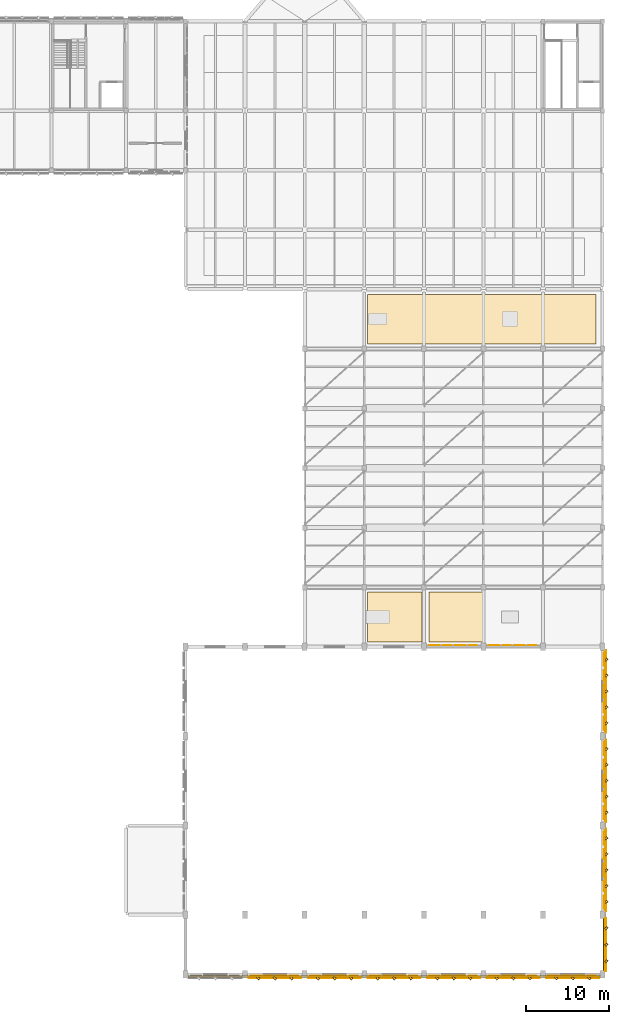
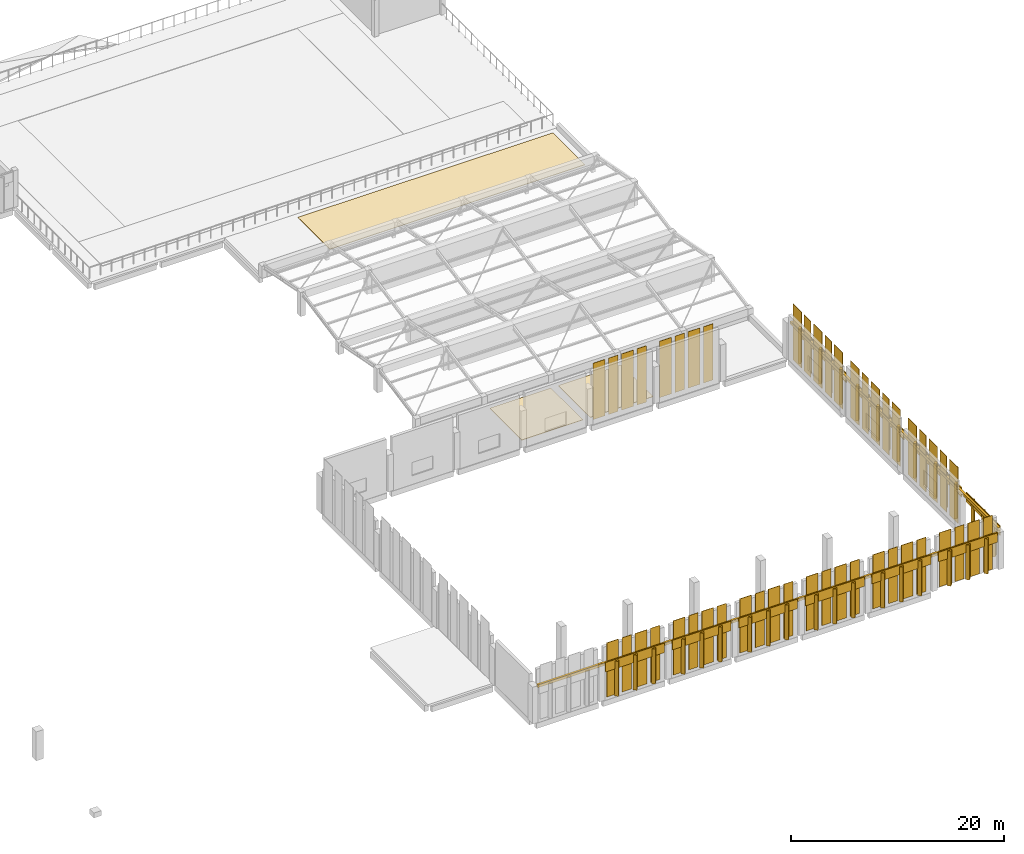
# One storey, part 71 of 72: 98 coverings.
"""IFC4 building model written with IfcOpenShell, lengths in metres."""

from ifc_helpers import new_model, si_unit, direction, frame, origin, origin_2d, place, context, subcontext, project, spatial, polyline, rectangle, outline, extrude, material, layer, layer_set, type_object, element, save


model = new_model("IFC4")

# Units and contexts
model_context = context("Model", 3, precision=1e-05, world=origin(), true_north=direction((0.0, 1.0)))
body_context = subcontext(model_context, "Body", "Model", "MODEL_VIEW")
ifc_project = project(units=[si_unit("LENGTHUNIT", "METRE"), si_unit("AREAUNIT", "SQUARE_METRE"), si_unit("VOLUMEUNIT", "CUBIC_METRE"), si_unit("PLANEANGLEUNIT", "RADIAN"), si_unit("MASSUNIT", "GRAM", prefix="KILO")], contexts=[model_context])

# Site, building, storey
site_placement = place(None, origin())
site = spatial("IfcSite", under=ifc_project, at=site_placement, CompositionType="ELEMENT")
building_placement = place(site_placement, origin())
building = spatial("IfcBuilding", under=site, at=building_placement, Name="Lusvemor Sports Hall", CompositionType="ELEMENT")
storey_placement = place(building_placement, frame((0.0, 0.0, 15.0)))
storey = spatial("IfcBuildingStorey", under=building, at=storey_placement, Name="L03", CompositionType="ELEMENT", Elevation=15.0)

# Coverings
ifc_material_1 = material(Name="Precast granite-faced Concrete C40/50 architectural cladding", Category="masonry")
ifc_layer_1 = layer(ifc_material_1, 0.055908203125)
ifc_layer_set_1 = layer_set([ifc_layer_1], Name="Precast granite-faced Concrete C40/50 architectural cladding")
covering_type_1 = type_object("IfcCoveringType", Name="CLAD_RELIEF_FRIEZE", PredefinedType="CLADDING", material=ifc_layer_set_1)
covering_1_placement = place(storey_placement, frame((144.0, -0.219970703125, 3.8798828125), z_axis=(0.0, 0.0, 1.0), x_axis=(1.0, 0.0, 0.0)))
element("IfcCovering", 1, at=covering_1_placement, inside=storey, type_object=covering_type_1, Name="Art Nouveau Sculpted Roofline Cornice 256", PredefinedType="CLADDING", context=body_context, shape_type="SweptSolid", body=[
    extrude(rectangle(XDim=49.800048828125, YDim=0.239990234375, at=origin_2d()), origin(), (0.0, 0.0, 1.0), 0.320068359375),
])
covering_2_placement = place(storey_placement, frame((169.419921875, 19.800048828125, 3.8798828125), z_axis=(0.0, 0.0, 1.0), x_axis=(1.0, 0.0, 0.0)))
element("IfcCovering", 2, at=covering_2_placement, inside=storey, type_object=covering_type_1, Name="Art Nouveau Sculpted Roofline Cornice 350", PredefinedType="CLADDING", context=body_context, shape_type="SweptSolid", body=[
    extrude(rectangle(XDim=0.239990234375, YDim=39.0, at=origin_2d()), origin(), (0.0, 0.0, 1.0), 0.320068359375),
])
ifc_material_2 = material(Name="Emerald polychrome glazed ceramic cladding on Concrete C40/50 backing", Category="concrete")
ifc_layer_2 = layer(ifc_material_2, 0.0458984375)
ifc_layer_set_2 = layer_set([ifc_layer_2], Name="Emerald polychrome glazed ceramic cladding on Concrete C40/50 backing")
covering_type_2 = type_object("IfcCoveringType", Name="CLAD_WAVE_EMERALD", PredefinedType="CLADDING", material=ifc_layer_set_2)
for number, where, z_axis, x_axis, name in (
    (3, (127.2900390625, -0.177978515625, 0.080078125), (0.0, 0.0, 1.0), (1.0, 0.0, 0.0), "Art Nouveau Patterned Cladding PS-V2CS-1-1"),
    (4, (130.3701171875, -0.177978515625, 0.080078125), (0.0, 0.0, 1.0), (1.0, 0.0, 0.0), "Art Nouveau Patterned Cladding PS-V2CS-1-3"),
    (5, (134.489990234375, -0.177978515625, 0.080078125), (0.0, 0.0, 1.0), (1.0, 0.0, 0.0), "Art Nouveau Patterned Cladding PS-V2CS-2-1"),
    (6, (137.570068359375, -0.177978515625, 0.080078125), (0.0, 0.0, 1.0), (1.0, 0.0, 0.0), "Art Nouveau Patterned Cladding PS-V2CS-2-3"),
    (7, (141.68994140625, -0.177978515625, 0.080078125), (0.0, 0.0, 1.0), (1.0, 0.0, 0.0), "Art Nouveau Patterned Cladding PS-V2CS-3-1"),
    (8, (144.77001953125, -0.177978515625, 0.080078125), (0.0, 0.0, 1.0), (1.0, 0.0, 0.0), "Art Nouveau Patterned Cladding PS-V2CS-3-3"),
    (9, (148.889892578125, -0.177978515625, 0.080078125), (0.0, 0.0, 1.0), (1.0, 0.0, 0.0), "Art Nouveau Patterned Cladding PS-V2CS-4-1"),
    (10, (151.969970703125, -0.177978515625, 0.080078125), (0.0, 0.0, 1.0), (1.0, 0.0, 0.0), "Art Nouveau Patterned Cladding PS-V2CS-4-3"),
    (11, (156.090087890625, -0.177978515625, 0.080078125), (0.0, 0.0, 1.0), (1.0, 0.0, 0.0), "Art Nouveau Patterned Cladding PS-V2CS-5-1"),
    (12, (159.169921875, -0.177978515625, 0.080078125), (0.0, 0.0, 1.0), (1.0, 0.0, 0.0), "Art Nouveau Patterned Cladding PS-V2CS-5-3"),
    (13, (163.2900390625, -0.177978515625, 0.080078125), (0.0, 0.0, 1.0), (1.0, 0.0, 0.0), "Art Nouveau Patterned Cladding PS-V2CS-6-1"),
    (14, (166.3701171875, -0.177978515625, 0.080078125), (0.0, 0.0, 1.0), (1.0, 0.0, 0.0), "Art Nouveau Patterned Cladding PS-V2CS-6-3"),
):
    element("IfcCovering", number, at=place(storey_placement, frame(where, z_axis=z_axis, x_axis=x_axis)), inside=storey, type_object=covering_type_2, Name=name, PredefinedType="CLADDING", context=body_context, shape_type="SweptSolid", body=[
        extrude(rectangle(XDim=1.2626953125, YDim=0.0458984375, at=origin_2d()), origin(), (0.0, 0.0, 1.0), 6.18994140625),
    ])
for number, where, z_axis, x_axis, name in (
    (15, (169.3779296875, 8.72802734375, 0.030029296875), (0.0, 0.0, 1.0), (1.0, 0.0, 0.0), "Art Nouveau Patterned Cladding PS-V2E3-1-1"),
    (16, (169.3779296875, 12.60009765625, 0.030029296875), (0.0, 0.0, 1.0), (1.0, 0.0, 0.0), "Art Nouveau Patterned Cladding PS-V2E3-1-3"),
    (17, (169.3779296875, 16.471923828125, 0.030029296875), (0.0, 0.0, 1.0), (1.0, 0.0, 0.0), "Art Nouveau Patterned Cladding PS-V2E3-1-5"),
    (18, (169.3779296875, 19.528076171875, 0.030029296875), (0.0, 0.0, 1.0), (1.0, 0.0, 0.0), "Art Nouveau Patterned Cladding PS-V2E3-2-1"),
    (19, (169.3779296875, 23.39990234375, 0.030029296875), (0.0, 0.0, 1.0), (1.0, 0.0, 0.0), "Art Nouveau Patterned Cladding PS-V2E3-2-3"),
    (20, (169.3779296875, 27.27197265625, 0.030029296875), (0.0, 0.0, 1.0), (1.0, 0.0, 0.0), "Art Nouveau Patterned Cladding PS-V2E3-2-5"),
    (21, (169.3779296875, 30.327880859375, 0.030029296875), (0.0, 0.0, 1.0), (1.0, 0.0, 0.0), "Art Nouveau Patterned Cladding PS-V2E3-3-1"),
    (22, (169.3779296875, 34.199951171875, 0.030029296875), (0.0, 0.0, 1.0), (1.0, 0.0, 0.0), "Art Nouveau Patterned Cladding PS-V2E3-3-3"),
    (23, (169.3779296875, 38.072021484375, 0.030029296875), (0.0, 0.0, 1.0), (1.0, 0.0, 0.0), "Art Nouveau Patterned Cladding PS-V2E3-3-5"),
):
    element("IfcCovering", number, at=place(storey_placement, frame(where, z_axis=z_axis, x_axis=x_axis)), inside=storey, type_object=covering_type_2, Name=name, PredefinedType="CLADDING", context=body_context, shape_type="SweptSolid", body=[
        extrude(rectangle(XDim=0.0458984375, YDim=1.58740234375, at=origin_2d()), origin(), (0.0, 0.0, 1.0), 6.43994140625),
    ])
for number, where, z_axis, x_axis, name in (
    (24, (148.889892578125, 39.778076171875, 0.030029296875), (0.0, 0.0, 1.0), (1.0, 0.0, 0.0), "Art Nouveau Patterned Cladding PS-V2NHI-4-1"),
    (25, (151.969970703125, 39.778076171875, 0.030029296875), (0.0, 0.0, 1.0), (1.0, 0.0, 0.0), "Art Nouveau Patterned Cladding PS-V2NHI-4-3"),
    (26, (156.090087890625, 39.778076171875, 0.030029296875), (0.0, 0.0, 1.0), (1.0, 0.0, 0.0), "Art Nouveau Patterned Cladding PS-V2NHI-5-1"),
    (27, (159.169921875, 39.778076171875, 0.030029296875), (0.0, 0.0, 1.0), (1.0, 0.0, 0.0), "Art Nouveau Patterned Cladding PS-V2NHI-5-3"),
):
    element("IfcCovering", number, at=place(storey_placement, frame(where, z_axis=z_axis, x_axis=x_axis)), inside=storey, type_object=covering_type_2, Name=name, PredefinedType="CLADDING", context=body_context, shape_type="SweptSolid", body=[
        extrude(rectangle(XDim=1.2626953125, YDim=0.0458984375, at=origin_2d()), origin(), (0.0, 0.0, 1.0), 6.43994140625),
    ])
for number, where, z_axis, x_axis, name in (
    (28, (129.60009765625, -0.43994140625, 0.10009765625), (0.0, 0.0, 1.0), (0.707106781187, 0.707106781187, 0.0), "Patterned Diamond Cladding Rib 174"),
    (29, (136.800048828125, -0.43994140625, 0.10009765625), (0.0, 0.0, 1.0), (0.707106781187, 0.707106781187, 0.0), "Patterned Diamond Cladding Rib 190"),
    (30, (144.0, -0.43994140625, 0.10009765625), (0.0, 0.0, 1.0), (0.707106781187, 0.707106781187, 0.0), "Patterned Diamond Cladding Rib 206"),
    (31, (151.199951171875, -0.43994140625, 0.10009765625), (0.0, 0.0, 1.0), (0.707106781187, 0.707106781187, 0.0), "Patterned Diamond Cladding Rib 222"),
    (32, (158.39990234375, -0.43994140625, 0.10009765625), (0.0, 0.0, 1.0), (0.707106781187, 0.707106781187, 0.0), "Patterned Diamond Cladding Rib 238"),
    (33, (165.60009765625, -0.43994140625, 0.10009765625), (0.0, 0.0, 1.0), (0.707106781187, 0.707106781187, 0.0), "Patterned Diamond Cladding Rib 254"),
):
    element("IfcCovering", number, at=place(storey_placement, frame(where, z_axis=z_axis, x_axis=x_axis)), inside=storey, type_object=covering_type_2, Name=name, PredefinedType="CLADDING", context=body_context, shape_type="SweptSolid", body=[
        extrude(rectangle(XDim=0.280029296875, YDim=0.3798828125, at=origin_2d()), origin(), (0.0, 0.0, 1.0), 4.0),
    ])
for number, where, z_axis, x_axis, name in (
    (34, (169.639892578125, 3.60009765625, 0.10009765625), (0.0, 0.0, 1.0), (0.707106781187, 0.707106781187, 0.0), "Patterned Diamond Cladding Rib 276"),
    (35, (169.639892578125, 10.679931640625, 0.10009765625), (0.0, 0.0, 1.0), (0.707106781187, 0.707106781187, 0.0), "Patterned Diamond Cladding Rib 298"),
    (36, (169.639892578125, 14.52001953125, 0.10009765625), (0.0, 0.0, 1.0), (0.707106781187, 0.707106781187, 0.0), "Patterned Diamond Cladding Rib 300"),
    (37, (169.639892578125, 21.47998046875, 0.10009765625), (0.0, 0.0, 1.0), (0.707106781187, 0.707106781187, 0.0), "Patterned Diamond Cladding Rib 322"),
    (38, (169.639892578125, 25.320068359375, 0.10009765625), (0.0, 0.0, 1.0), (0.707106781187, 0.707106781187, 0.0), "Patterned Diamond Cladding Rib 324"),
    (39, (169.639892578125, 32.280029296875, 0.10009765625), (0.0, 0.0, 1.0), (0.707106781187, 0.707106781187, 0.0), "Patterned Diamond Cladding Rib 346"),
    (40, (169.639892578125, 36.1201171875, 0.10009765625), (0.0, 0.0, 1.0), (0.707106781187, 0.707106781187, 0.0), "Patterned Diamond Cladding Rib 348"),
):
    element("IfcCovering", number, at=place(storey_placement, frame(where, z_axis=z_axis, x_axis=x_axis)), inside=storey, type_object=covering_type_2, Name=name, PredefinedType="CLADDING", context=body_context, shape_type="SweptSolid", body=[
        extrude(rectangle(XDim=0.3798828125, YDim=0.280029296875, at=origin_2d()), origin(), (0.0, 0.0, 1.0), 4.0),
    ])
ifc_material_3 = material(Name="Warm terracotta Art Nouveau ceramic cladding on Concrete C40/50 backing", Category="masonry")
ifc_layer_3 = layer(ifc_material_3, 0.0380859375)
ifc_layer_set_3 = layer_set([ifc_layer_3], Name="Warm terracotta Art Nouveau ceramic cladding on Concrete C40/50 backing")
covering_type_3 = type_object("IfcCoveringType", Name="CLAD_WAVE_OCHRE", PredefinedType="CLADDING", material=ifc_layer_set_3)
for number, where, z_axis, x_axis, name in (
    (41, (128.830078125, -0.174072265625, 0.080078125), (0.0, 0.0, 1.0), (1.0, 0.0, 0.0), "Art Nouveau Patterned Cladding PS-V2CS-1-2"),
    (42, (131.909912109375, -0.174072265625, 0.080078125), (0.0, 0.0, 1.0), (1.0, 0.0, 0.0), "Art Nouveau Patterned Cladding PS-V2CS-1-4"),
    (43, (136.030029296875, -0.174072265625, 0.080078125), (0.0, 0.0, 1.0), (1.0, 0.0, 0.0), "Art Nouveau Patterned Cladding PS-V2CS-2-2"),
    (44, (139.110107421875, -0.174072265625, 0.080078125), (0.0, 0.0, 1.0), (1.0, 0.0, 0.0), "Art Nouveau Patterned Cladding PS-V2CS-2-4"),
    (45, (143.22998046875, -0.174072265625, 0.080078125), (0.0, 0.0, 1.0), (1.0, 0.0, 0.0), "Art Nouveau Patterned Cladding PS-V2CS-3-2"),
    (46, (146.31005859375, -0.174072265625, 0.080078125), (0.0, 0.0, 1.0), (1.0, 0.0, 0.0), "Art Nouveau Patterned Cladding PS-V2CS-3-4"),
    (47, (150.429931640625, -0.174072265625, 0.080078125), (0.0, 0.0, 1.0), (1.0, 0.0, 0.0), "Art Nouveau Patterned Cladding PS-V2CS-4-2"),
    (48, (153.510009765625, -0.174072265625, 0.080078125), (0.0, 0.0, 1.0), (1.0, 0.0, 0.0), "Art Nouveau Patterned Cladding PS-V2CS-4-4"),
    (49, (157.6298828125, -0.174072265625, 0.080078125), (0.0, 0.0, 1.0), (1.0, 0.0, 0.0), "Art Nouveau Patterned Cladding PS-V2CS-5-2"),
    (50, (160.7099609375, -0.174072265625, 0.080078125), (0.0, 0.0, 1.0), (1.0, 0.0, 0.0), "Art Nouveau Patterned Cladding PS-V2CS-5-4"),
    (51, (164.830078125, -0.174072265625, 0.080078125), (0.0, 0.0, 1.0), (1.0, 0.0, 0.0), "Art Nouveau Patterned Cladding PS-V2CS-6-2"),
    (52, (167.909912109375, -0.174072265625, 0.080078125), (0.0, 0.0, 1.0), (1.0, 0.0, 0.0), "Art Nouveau Patterned Cladding PS-V2CS-6-4"),
):
    element("IfcCovering", number, at=place(storey_placement, frame(where, z_axis=z_axis, x_axis=x_axis)), inside=storey, type_object=covering_type_3, Name=name, PredefinedType="CLADDING", context=body_context, shape_type="SweptSolid", body=[
        extrude(rectangle(XDim=0.985595703125, YDim=0.0380859375, at=origin_2d()), origin(), (0.0, 0.0, 1.0), 6.18994140625),
    ])
for number, where, z_axis, x_axis, name in (
    (53, (169.3740234375, 10.6640625, 0.030029296875), (0.0, 0.0, 1.0), (1.0, 0.0, 0.0), "Art Nouveau Patterned Cladding PS-V2E3-1-2"),
    (54, (169.3740234375, 14.535888671875, 0.030029296875), (0.0, 0.0, 1.0), (1.0, 0.0, 0.0), "Art Nouveau Patterned Cladding PS-V2E3-1-4"),
    (55, (169.3740234375, 21.464111328125, 0.030029296875), (0.0, 0.0, 1.0), (1.0, 0.0, 0.0), "Art Nouveau Patterned Cladding PS-V2E3-2-2"),
    (56, (169.3740234375, 25.3359375, 0.030029296875), (0.0, 0.0, 1.0), (1.0, 0.0, 0.0), "Art Nouveau Patterned Cladding PS-V2E3-2-4"),
    (57, (169.3740234375, 32.263916015625, 0.030029296875), (0.0, 0.0, 1.0), (1.0, 0.0, 0.0), "Art Nouveau Patterned Cladding PS-V2E3-3-2"),
    (58, (169.3740234375, 36.135986328125, 0.030029296875), (0.0, 0.0, 1.0), (1.0, 0.0, 0.0), "Art Nouveau Patterned Cladding PS-V2E3-3-4"),
):
    element("IfcCovering", number, at=place(storey_placement, frame(where, z_axis=z_axis, x_axis=x_axis)), inside=storey, type_object=covering_type_3, Name=name, PredefinedType="CLADDING", context=body_context, shape_type="SweptSolid", body=[
        extrude(rectangle(XDim=0.0380859375, YDim=1.239013671875, at=origin_2d()), origin(), (0.0, 0.0, 1.0), 6.43994140625),
    ])
for number, where, z_axis, x_axis, name in (
    (59, (150.429931640625, 39.77392578125, 0.030029296875), (0.0, 0.0, 1.0), (1.0, 0.0, 0.0), "Art Nouveau Patterned Cladding PS-V2NHI-4-2"),
    (60, (153.510009765625, 39.77392578125, 0.030029296875), (0.0, 0.0, 1.0), (1.0, 0.0, 0.0), "Art Nouveau Patterned Cladding PS-V2NHI-4-4"),
    (61, (157.6298828125, 39.77392578125, 0.030029296875), (0.0, 0.0, 1.0), (1.0, 0.0, 0.0), "Art Nouveau Patterned Cladding PS-V2NHI-5-2"),
    (62, (160.7099609375, 39.77392578125, 0.030029296875), (0.0, 0.0, 1.0), (1.0, 0.0, 0.0), "Art Nouveau Patterned Cladding PS-V2NHI-5-4"),
):
    element("IfcCovering", number, at=place(storey_placement, frame(where, z_axis=z_axis, x_axis=x_axis)), inside=storey, type_object=covering_type_3, Name=name, PredefinedType="CLADDING", context=body_context, shape_type="SweptSolid", body=[
        extrude(rectangle(XDim=0.985595703125, YDim=0.0380859375, at=origin_2d()), origin(), (0.0, 0.0, 1.0), 6.43994140625),
    ])
for number, where, z_axis, x_axis, name in (
    (63, (129.60009765625, -0.389892578125, 3.179931640625), (0.0, 0.0, 1.0), (1.0, 0.0, 0.0), "Art Nouveau Spandrel Cornice 172"),
    (64, (136.800048828125, -0.389892578125, 3.179931640625), (0.0, 0.0, 1.0), (1.0, 0.0, 0.0), "Art Nouveau Spandrel Cornice 188"),
    (65, (144.0, -0.389892578125, 3.179931640625), (0.0, 0.0, 1.0), (1.0, 0.0, 0.0), "Art Nouveau Spandrel Cornice 204"),
    (66, (151.199951171875, -0.389892578125, 3.179931640625), (0.0, 0.0, 1.0), (1.0, 0.0, 0.0), "Art Nouveau Spandrel Cornice 220"),
    (67, (158.39990234375, -0.389892578125, 3.179931640625), (0.0, 0.0, 1.0), (1.0, 0.0, 0.0), "Art Nouveau Spandrel Cornice 236"),
    (68, (165.60009765625, -0.389892578125, 3.179931640625), (0.0, 0.0, 1.0), (1.0, 0.0, 0.0), "Art Nouveau Spandrel Cornice 252"),
):
    element("IfcCovering", number, at=place(storey_placement, frame(where, z_axis=z_axis, x_axis=x_axis)), inside=storey, type_object=covering_type_3, Name=name, PredefinedType="CLADDING", context=body_context, shape_type="SweptSolid", body=[
        extrude(rectangle(XDim=6.3798828125, YDim=0.090087890625, at=origin_2d()), origin(), (0.0, 0.0, 1.0), 1.080078125),
    ])
covering_3_placement = place(storey_placement, frame((169.590087890625, 3.60009765625, 3.179931640625), z_axis=(0.0, 0.0, 1.0), x_axis=(1.0, 0.0, 0.0)))
element("IfcCovering", 69, at=covering_3_placement, inside=storey, type_object=covering_type_3, Name="Art Nouveau Spandrel Cornice 274", PredefinedType="CLADDING", context=body_context, shape_type="SweptSolid", body=[
    extrude(rectangle(XDim=0.090087890625, YDim=6.3798828125, at=origin_2d()), origin(), (0.0, 0.0, 1.0), 1.080078125),
])
for number, where, z_axis, x_axis, name in (
    (70, (169.590087890625, 12.60009765625, 3.179931640625), (0.0, 0.0, 1.0), (1.0, 0.0, 0.0), "Art Nouveau Spandrel Cornice 296"),
    (71, (169.590087890625, 23.39990234375, 3.179931640625), (0.0, 0.0, 1.0), (1.0, 0.0, 0.0), "Art Nouveau Spandrel Cornice 320"),
    (72, (169.590087890625, 34.199951171875, 3.179931640625), (0.0, 0.0, 1.0), (1.0, 0.0, 0.0), "Art Nouveau Spandrel Cornice 344"),
):
    element("IfcCovering", number, at=place(storey_placement, frame(where, z_axis=z_axis, x_axis=x_axis)), inside=storey, type_object=covering_type_3, Name=name, PredefinedType="CLADDING", context=body_context, shape_type="SweptSolid", body=[
        extrude(rectangle(XDim=0.090087890625, YDim=9.97998046875, at=origin_2d()), origin(), (0.0, 0.0, 1.0), 1.080078125),
    ])
ifc_material_4 = material(Name="Insulated TPO and standing-seam zinc roofing membrane")
ifc_layer_4 = layer(ifc_material_4, 0.052001953125)
ifc_layer_set_4 = layer_set([ifc_layer_4], Name="Insulated TPO and standing-seam zinc roofing membrane")
covering_type_4 = type_object("IfcCoveringType", Name="COV_ROOF_ZINC", PredefinedType="ROOFING", material=ifc_layer_set_4)
covering_4_placement = place(storey_placement, origin())
element("IfcCovering", 73, at=covering_4_placement, inside=storey, type_object=covering_type_4, Name="Standing-Seam Roof Membrane 4", PredefinedType="ROOFING", context=body_context, shape_type="SweptSolid", body=[
    extrude(outline(polyline([(148.199951171875, 40.199951171875), (155.0, 40.199951171875), (155.0, 46.199951171875), (148.199951171875, 46.199951171875), (148.199951171875, 40.199951171875)])), origin(), (0.0, 0.0, 1.0), 0.052001953125),
])
covering_5_placement = place(storey_placement, origin())
element("IfcCovering", 74, at=covering_5_placement, inside=storey, type_object=covering_type_4, Name="Standing-Seam Roof Membrane 5", PredefinedType="ROOFING", context=body_context, shape_type="SweptSolid", body=[
    extrude(outline(polyline([(140.800048828125, 40.199951171875), (147.39990234375, 40.199951171875), (147.39990234375, 46.199951171875), (140.800048828125, 46.199951171875), (140.800048828125, 40.199951171875)])), origin(), (0.0, 0.0, 1.0), 0.052001953125),
])
covering_6_placement = place(storey_placement, origin())
element("IfcCovering", 75, at=covering_6_placement, inside=storey, type_object=covering_type_4, Name="Standing-Seam Roof Membrane 6", PredefinedType="ROOFING", context=body_context, shape_type="SweptSolid", body=[
    extrude(outline(polyline([(140.800048828125, 76.199951171875), (168.39990234375, 76.199951171875), (168.39990234375, 82.199951171875), (140.800048828125, 82.199951171875), (140.800048828125, 76.199951171875)])), origin(), (0.0, 0.0, 1.0), 0.052001953125),
])
ifc_material_5 = material(Name="Warm terracotta Art Nouveau ceramic cladding on Concrete C40/50 backing", Category="masonry")
ifc_layer_5 = layer(ifc_material_5, 0.449951171875)
ifc_layer_set_5 = layer_set([ifc_layer_5], Name="Warm terracotta Art Nouveau ceramic cladding on Concrete C40/50 backing")
covering_type_5 = type_object("IfcCoveringType", Name="FIN_BRISE_CER_450", PredefinedType="MOLDING", material=ifc_layer_set_5)
for number, where, z_axis, x_axis, name in (
    (76, (127.60009765625, -0.43994140625, 0.10009765625), (0.0, 0.0, 1.0), (0.707106781187, 0.707106781187, 0.0), "Patterned Diamond Cladding Rib 173"),
    (77, (131.60009765625, -0.43994140625, 0.10009765625), (0.0, 0.0, 1.0), (0.707106781187, 0.707106781187, 0.0), "Patterned Diamond Cladding Rib 175"),
    (78, (134.800048828125, -0.43994140625, 0.10009765625), (0.0, 0.0, 1.0), (0.707106781187, 0.707106781187, 0.0), "Patterned Diamond Cladding Rib 189"),
    (79, (138.800048828125, -0.43994140625, 0.10009765625), (0.0, 0.0, 1.0), (0.707106781187, 0.707106781187, 0.0), "Patterned Diamond Cladding Rib 191"),
    (80, (142.0, -0.43994140625, 0.10009765625), (0.0, 0.0, 1.0), (0.707106781187, 0.707106781187, 0.0), "Patterned Diamond Cladding Rib 205"),
    (81, (146.0, -0.43994140625, 0.10009765625), (0.0, 0.0, 1.0), (0.707106781187, 0.707106781187, 0.0), "Patterned Diamond Cladding Rib 207"),
    (82, (149.199951171875, -0.43994140625, 0.10009765625), (0.0, 0.0, 1.0), (0.707106781187, 0.707106781187, 0.0), "Patterned Diamond Cladding Rib 221"),
    (83, (153.199951171875, -0.43994140625, 0.10009765625), (0.0, 0.0, 1.0), (0.707106781187, 0.707106781187, 0.0), "Patterned Diamond Cladding Rib 223"),
    (84, (156.39990234375, -0.43994140625, 0.10009765625), (0.0, 0.0, 1.0), (0.707106781187, 0.707106781187, 0.0), "Patterned Diamond Cladding Rib 237"),
    (85, (160.39990234375, -0.43994140625, 0.10009765625), (0.0, 0.0, 1.0), (0.707106781187, 0.707106781187, 0.0), "Patterned Diamond Cladding Rib 239"),
    (86, (163.60009765625, -0.43994140625, 0.10009765625), (0.0, 0.0, 1.0), (0.707106781187, 0.707106781187, 0.0), "Patterned Diamond Cladding Rib 253"),
    (87, (167.60009765625, -0.43994140625, 0.10009765625), (0.0, 0.0, 1.0), (0.707106781187, 0.707106781187, 0.0), "Patterned Diamond Cladding Rib 255"),
):
    element("IfcCovering", number, at=place(storey_placement, frame(where, z_axis=z_axis, x_axis=x_axis)), inside=storey, type_object=covering_type_5, Name=name, PredefinedType="MOLDING", context=body_context, shape_type="SweptSolid", body=[
        extrude(rectangle(XDim=0.280029296875, YDim=0.3798828125, at=origin_2d()), origin(), (0.0, 0.0, 1.0), 4.0),
    ])
for number, where, z_axis, x_axis, name in (
    (88, (169.639892578125, 1.60009765625, 0.10009765625), (0.0, 0.0, 1.0), (0.707106781187, 0.707106781187, 0.0), "Patterned Diamond Cladding Rib 275"),
    (89, (169.639892578125, 5.60009765625, 0.10009765625), (0.0, 0.0, 1.0), (0.707106781187, 0.707106781187, 0.0), "Patterned Diamond Cladding Rib 277"),
    (90, (169.639892578125, 8.760009765625, 0.10009765625), (0.0, 0.0, 1.0), (0.707106781187, 0.707106781187, 0.0), "Patterned Diamond Cladding Rib 297"),
    (91, (169.639892578125, 12.60009765625, 0.10009765625), (0.0, 0.0, 1.0), (0.707106781187, 0.707106781187, 0.0), "Patterned Diamond Cladding Rib 299"),
    (92, (169.639892578125, 16.43994140625, 0.10009765625), (0.0, 0.0, 1.0), (0.707106781187, 0.707106781187, 0.0), "Patterned Diamond Cladding Rib 301"),
    (93, (169.639892578125, 19.56005859375, 0.10009765625), (0.0, 0.0, 1.0), (0.707106781187, 0.707106781187, 0.0), "Patterned Diamond Cladding Rib 321"),
    (94, (169.639892578125, 23.39990234375, 0.10009765625), (0.0, 0.0, 1.0), (0.707106781187, 0.707106781187, 0.0), "Patterned Diamond Cladding Rib 323"),
    (95, (169.639892578125, 27.239990234375, 0.10009765625), (0.0, 0.0, 1.0), (0.707106781187, 0.707106781187, 0.0), "Patterned Diamond Cladding Rib 325"),
    (96, (169.639892578125, 30.360107421875, 0.10009765625), (0.0, 0.0, 1.0), (0.707106781187, 0.707106781187, 0.0), "Patterned Diamond Cladding Rib 345"),
    (97, (169.639892578125, 34.199951171875, 0.10009765625), (0.0, 0.0, 1.0), (0.707106781187, 0.707106781187, 0.0), "Patterned Diamond Cladding Rib 347"),
    (98, (169.639892578125, 38.0400390625, 0.10009765625), (0.0, 0.0, 1.0), (0.707106781187, 0.707106781187, 0.0), "Patterned Diamond Cladding Rib 349"),
):
    element("IfcCovering", number, at=place(storey_placement, frame(where, z_axis=z_axis, x_axis=x_axis)), inside=storey, type_object=covering_type_5, Name=name, PredefinedType="MOLDING", context=body_context, shape_type="SweptSolid", body=[
        extrude(rectangle(XDim=0.3798828125, YDim=0.280029296875, at=origin_2d()), origin(), (0.0, 0.0, 1.0), 4.0),
    ])

save(model, "model.ifc")
